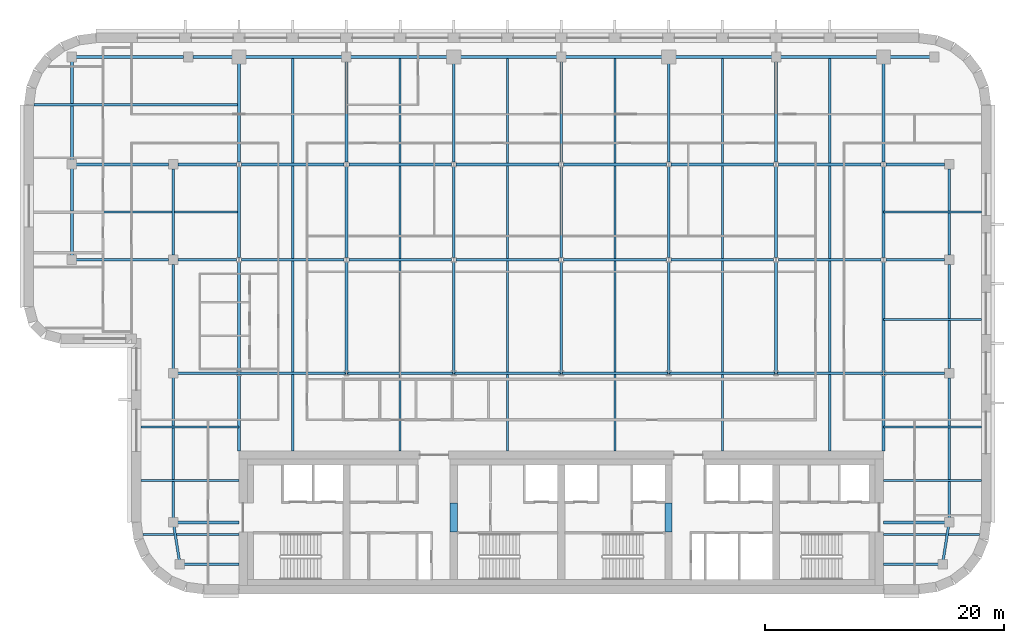
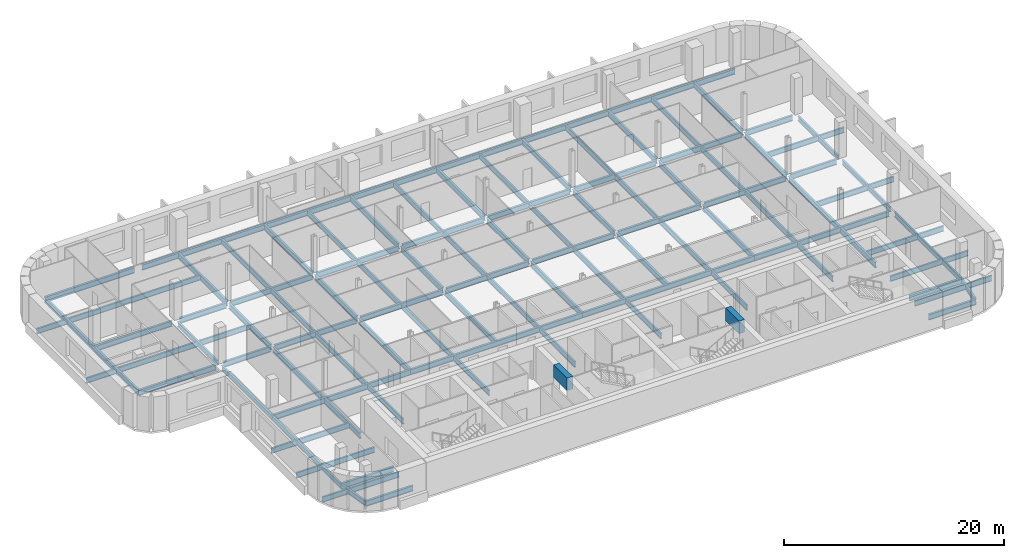
# One storey, part 5 of 16: 80 beams.
"""IFC4 building model written with IfcOpenShell, lengths in metres."""

from ifc_helpers import new_model, si_unit, direction, frame, origin, origin_2d, place, context, subcontext, project, spatial, rectangle, i_section, extrude, material, material_profile, profile_set, type_object, element, save


model = new_model("IFC4")

# Units and contexts
model_context = context("Model", 3, precision=1e-05, world=origin(), true_north=direction((0.0, 1.0)))
body_context = subcontext(model_context, "Body", "Model", "MODEL_VIEW")
ifc_project = project(units=[si_unit("LENGTHUNIT", "METRE"), si_unit("AREAUNIT", "SQUARE_METRE"), si_unit("VOLUMEUNIT", "CUBIC_METRE"), si_unit("PLANEANGLEUNIT", "RADIAN"), si_unit("MASSUNIT", "GRAM", prefix="KILO")], contexts=[model_context])

# Site, building, storey
site_placement = place(None, origin())
site = spatial("IfcSite", under=ifc_project, at=site_placement, CompositionType="ELEMENT")
building_placement = place(site_placement, origin())
building = spatial("IfcBuilding", under=site, at=building_placement, Name="Zellij Exchange Tower", CompositionType="ELEMENT")
storey_placement = place(building_placement, frame((0.0, 0.0, 236.5)))
storey = spatial("IfcBuildingStorey", under=building, at=storey_placement, Name="L55", CompositionType="ELEMENT", Elevation=236.5)

# Beams
ifc_material_1 = material(Name="Concrete C50/60", Category="concrete")
ifc_material_profile_1 = material_profile(ifc_material_1, rectangle(XDim=0.60009765625, YDim=1.39990234375, at=origin_2d()), Name="CORE-CB 600x1400 C50/60")
ifc_profile_set_1 = profile_set([ifc_material_profile_1], Name="Concrete C50/60")
beam_type_1 = type_object("IfcBeamType", Name="CORE-CB 600x1400 C50/60", PredefinedType="BEAM", material=ifc_profile_set_1)
for number, where, z_axis, x_axis, name in (
    (1, (-9.0, -8.800048828125, 3.10009765625), (0.0, 1.0, 0.0), (-1.0, 0.0, 0.0), "Core coupling beam x -9 L55"),
    (2, (9.0, -8.800048828125, 3.10009765625), (0.0, 1.0, 0.0), (-1.0, 0.0, 0.0), "Core coupling beam x 9 L55"),
):
    element("IfcBeam", number, at=place(storey_placement, frame(where, z_axis=z_axis, x_axis=x_axis)), inside=storey, type_object=beam_type_1, Name=name, PredefinedType="BEAM", context=body_context, shape_type="SweptSolid", body=[
        extrude(rectangle(XDim=0.60009765625, YDim=1.39990234375, at=origin_2d()), origin(), (0.0, 0.0, 1.0), 2.425048828125),
    ])
ifc_material_2 = material(Name="Structural steel ASTM A992 Gr 50", Category="steel")
ifc_material_profile_2 = material_profile(ifc_material_2, i_section(OverallWidth=0.177978515625, OverallDepth=0.599365234375, WebThickness=0.010009765625, FlangeThickness=0.012939453125, at=origin_2d()), Name="W24x55")
ifc_profile_set_2 = profile_set([ifc_material_profile_2], Name="Structural steel ASTM A992 Gr 50")
beam_type_2 = type_object("IfcBeamType", Name="STR-BEAM W24x55", PredefinedType="BEAM", material=ifc_profile_set_2)
for number, where, z_axis, x_axis, name in (
    (3, (-22.5, -2.0, -0.499755859375), (0.0, 1.0, 0.0), (-1.0, 0.0, 0.0), "B4"),
    (4, (-13.5, -2.0, -0.499755859375), (0.0, 1.0, 0.0), (-1.0, 0.0, 0.0), "B4"),
    (5, (-4.5, -2.0, -0.499755859375), (0.0, 1.0, 0.0), (-1.0, 0.0, 0.0), "B4"),
    (6, (4.5, -2.0, -0.499755859375), (0.0, 1.0, 0.0), (-1.0, 0.0, 0.0), "B4"),
    (7, (13.5, -2.0, -0.499755859375), (0.0, 1.0, 0.0), (-1.0, 0.0, 0.0), "B4"),
    (8, (22.5, -2.0, -0.499755859375), (0.0, 1.0, 0.0), (-1.0, 0.0, 0.0), "B4"),
):
    element("IfcBeam", number, at=place(storey_placement, frame(where, z_axis=z_axis, x_axis=x_axis)), inside=storey, type_object=beam_type_2, Name=name, PredefinedType="BEAM", context=body_context, shape_type="SweptSolid", body=[
        extrude(i_section(OverallWidth=0.177978515625, OverallDepth=0.599365234375, WebThickness=0.010009765625, FlangeThickness=0.012939453125, at=origin_2d()), origin(), (0.0, 0.0, 1.0), 33.1142578125),
    ])
beam_1_placement = place(storey_placement, frame((-35.06103515625, -9.0, -0.499755859375), z_axis=(1.0, 0.0, 0.0), x_axis=(0.0, 1.0, 0.0)))
element("IfcBeam", 9, at=beam_1_placement, inside=storey, type_object=beam_type_2, Name="B4", PredefinedType="BEAM", context=body_context, shape_type="SweptSolid", body=[
    extrude(i_section(OverallWidth=0.177978515625, OverallDepth=0.599365234375, WebThickness=0.010009765625, FlangeThickness=0.012939453125, at=origin_2d()), origin(), (0.0, 0.0, 1.0), 8.06103515625),
])
for number, where, z_axis, x_axis, name in (
    (10, (-35.199951171875, -4.5, -0.499755859375), (1.0, 0.0, 0.0), (0.0, 1.0, 0.0), "B4"),
    (11, (-35.199951171875, 0.0, -0.499755859375), (1.0, 0.0, 0.0), (0.0, 1.0, 0.0), "B4"),
):
    element("IfcBeam", number, at=place(storey_placement, frame(where, z_axis=z_axis, x_axis=x_axis)), inside=storey, type_object=beam_type_2, Name=name, PredefinedType="BEAM", context=body_context, shape_type="SweptSolid", body=[
        extrude(i_section(OverallWidth=0.177978515625, OverallDepth=0.599365234375, WebThickness=0.010009765625, FlangeThickness=0.012939453125, at=origin_2d()), origin(), (0.0, 0.0, 1.0), 8.199951171875),
    ])
beam_2_placement = place(storey_placement, frame((-44.199951171875, 18.0, -0.499755859375), z_axis=(1.0, 0.0, 0.0), x_axis=(0.0, 1.0, 0.0)))
element("IfcBeam", 12, at=beam_2_placement, inside=storey, type_object=beam_type_2, Name="B4", PredefinedType="BEAM", context=body_context, shape_type="SweptSolid", body=[
    extrude(i_section(OverallWidth=0.177978515625, OverallDepth=0.599365234375, WebThickness=0.010009765625, FlangeThickness=0.012939453125, at=origin_2d()), origin(), (0.0, 0.0, 1.0), 17.199951171875),
])
beam_3_placement = place(storey_placement, frame((-44.193115234375, 27.0, -0.499755859375), z_axis=(1.0, 0.0, 0.0), x_axis=(0.0, 1.0, 0.0)))
element("IfcBeam", 13, at=beam_3_placement, inside=storey, type_object=beam_type_2, Name="B4", PredefinedType="BEAM", context=body_context, shape_type="SweptSolid", body=[
    extrude(i_section(OverallWidth=0.177978515625, OverallDepth=0.599365234375, WebThickness=0.010009765625, FlangeThickness=0.012939453125, at=origin_2d()), origin(), (0.0, 0.0, 1.0), 17.193115234375),
])
beam_4_placement = place(storey_placement, frame((27.0, -9.0, -0.499755859375), z_axis=(1.0, 0.0, 0.0), x_axis=(0.0, 1.0, 0.0)))
element("IfcBeam", 14, at=beam_4_placement, inside=storey, type_object=beam_type_2, Name="B4", PredefinedType="BEAM", context=body_context, shape_type="SweptSolid", body=[
    extrude(i_section(OverallWidth=0.177978515625, OverallDepth=0.599365234375, WebThickness=0.010009765625, FlangeThickness=0.012939453125, at=origin_2d()), origin(), (0.0, 0.0, 1.0), 8.06103515625),
])
for number, where, z_axis, x_axis, name in (
    (15, (27.0, -4.5, -0.499755859375), (1.0, 0.0, 0.0), (0.0, 1.0, 0.0), "B4"),
    (16, (27.0, 0.0, -0.499755859375), (1.0, 0.0, 0.0), (0.0, 1.0, 0.0), "B4"),
    (17, (27.0, 9.0, -0.499755859375), (1.0, 0.0, 0.0), (0.0, 1.0, 0.0), "B4"),
    (18, (27.0, 18.0, -0.499755859375), (1.0, 0.0, 0.0), (0.0, 1.0, 0.0), "B4"),
):
    element("IfcBeam", number, at=place(storey_placement, frame(where, z_axis=z_axis, x_axis=x_axis)), inside=storey, type_object=beam_type_2, Name=name, PredefinedType="BEAM", context=body_context, shape_type="SweptSolid", body=[
        extrude(i_section(OverallWidth=0.177978515625, OverallDepth=0.599365234375, WebThickness=0.010009765625, FlangeThickness=0.012939453125, at=origin_2d()), origin(), (0.0, 0.0, 1.0), 8.199951171875),
    ])
ifc_material_profile_3 = material_profile(ifc_material_2, i_section(OverallWidth=0.209228515625, OverallDepth=0.533447265625, WebThickness=0.01025390625, FlangeThickness=0.015625, at=origin_2d()), Name="W21x62")
ifc_profile_set_3 = profile_set([ifc_material_profile_3], Name="Structural steel ASTM A992 Gr 50")
beam_type_3 = type_object("IfcBeamType", Name="STR-EDGE GIRDER W21x62", PredefinedType="BEAM", material=ifc_profile_set_3)
beam_5_placement = place(storey_placement, frame((-31.949951171875, -11.5, -0.466796875), z_axis=(-0.155251283593, 0.987875011802, 0.0), x_axis=(-0.987875011802, -0.155251283593, 0.0)))
element("IfcBeam", 19, at=beam_5_placement, inside=storey, type_object=beam_type_3, Name="EB3", PredefinedType="BEAM", context=body_context, shape_type="SweptSolid", body=[
    extrude(i_section(OverallWidth=0.209228515625, OverallDepth=0.533447265625, WebThickness=0.01025390625, FlangeThickness=0.015625, at=origin_2d()), origin(), (0.0, 0.0, 1.0), 3.54296875),
])
beam_6_placement = place(storey_placement, frame((-32.5, -8.0, -0.466796875), z_axis=(0.0, 1.0, 0.0), x_axis=(-1.0, 0.0, 0.0)))
element("IfcBeam", 20, at=beam_6_placement, inside=storey, type_object=beam_type_3, Name="EB3", PredefinedType="BEAM", context=body_context, shape_type="SweptSolid", body=[
    extrude(i_section(OverallWidth=0.209228515625, OverallDepth=0.533447265625, WebThickness=0.01025390625, FlangeThickness=0.015625, at=origin_2d()), origin(), (0.0, 0.0, 1.0), 12.5),
])
beam_7_placement = place(storey_placement, frame((-32.5, 4.5, -0.466796875), z_axis=(0.0, 1.0, 0.0), x_axis=(-1.0, 0.0, 0.0)))
element("IfcBeam", 21, at=beam_7_placement, inside=storey, type_object=beam_type_3, Name="EB3", PredefinedType="BEAM", context=body_context, shape_type="SweptSolid", body=[
    extrude(i_section(OverallWidth=0.209228515625, OverallDepth=0.533447265625, WebThickness=0.01025390625, FlangeThickness=0.015625, at=origin_2d()), origin(), (0.0, 0.0, 1.0), 9.10009765625),
])
beam_8_placement = place(storey_placement, frame((-32.5, 14.39990234375, -0.466796875), z_axis=(0.0, 1.0, 0.0), x_axis=(-1.0, 0.0, 0.0)))
element("IfcBeam", 22, at=beam_8_placement, inside=storey, type_object=beam_type_3, Name="EB3", PredefinedType="BEAM", context=body_context, shape_type="SweptSolid", body=[
    extrude(i_section(OverallWidth=0.209228515625, OverallDepth=0.533447265625, WebThickness=0.01025390625, FlangeThickness=0.015625, at=origin_2d()), origin(), (0.0, 0.0, 1.0), 7.2001953125),
])
beam_9_placement = place(storey_placement, frame((31.949951171875, -11.5, -0.466796875), z_axis=(0.155251283593, 0.987875011802, 0.0), x_axis=(-0.987875011802, 0.155251283593, 0.0)))
element("IfcBeam", 23, at=beam_9_placement, inside=storey, type_object=beam_type_3, Name="EB3", PredefinedType="BEAM", context=body_context, shape_type="SweptSolid", body=[
    extrude(i_section(OverallWidth=0.209228515625, OverallDepth=0.533447265625, WebThickness=0.01025390625, FlangeThickness=0.015625, at=origin_2d()), origin(), (0.0, 0.0, 1.0), 3.54296875),
])
beam_10_placement = place(storey_placement, frame((32.5, -8.0, -0.466796875), z_axis=(0.0, 1.0, 0.0), x_axis=(-1.0, 0.0, 0.0)))
element("IfcBeam", 24, at=beam_10_placement, inside=storey, type_object=beam_type_3, Name="EB3", PredefinedType="BEAM", context=body_context, shape_type="SweptSolid", body=[
    extrude(i_section(OverallWidth=0.209228515625, OverallDepth=0.533447265625, WebThickness=0.01025390625, FlangeThickness=0.015625, at=origin_2d()), origin(), (0.0, 0.0, 1.0), 12.10009765625),
])
beam_11_placement = place(storey_placement, frame((32.5, 4.89990234375, -0.466796875), z_axis=(0.0, 1.0, 0.0), x_axis=(-1.0, 0.0, 0.0)))
element("IfcBeam", 25, at=beam_11_placement, inside=storey, type_object=beam_type_3, Name="EB3", PredefinedType="BEAM", context=body_context, shape_type="SweptSolid", body=[
    extrude(i_section(OverallWidth=0.209228515625, OverallDepth=0.533447265625, WebThickness=0.01025390625, FlangeThickness=0.015625, at=origin_2d()), origin(), (0.0, 0.0, 1.0), 8.7001953125),
])
beam_12_placement = place(storey_placement, frame((32.5, 14.39990234375, -0.466796875), z_axis=(0.0, 1.0, 0.0), x_axis=(-1.0, 0.0, 0.0)))
element("IfcBeam", 26, at=beam_12_placement, inside=storey, type_object=beam_type_3, Name="EB3", PredefinedType="BEAM", context=body_context, shape_type="SweptSolid", body=[
    extrude(i_section(OverallWidth=0.209228515625, OverallDepth=0.533447265625, WebThickness=0.01025390625, FlangeThickness=0.015625, at=origin_2d()), origin(), (0.0, 0.0, 1.0), 7.2001953125),
])
ifc_material_profile_4 = material_profile(ifc_material_2, i_section(OverallWidth=0.228271484375, OverallDepth=0.607177734375, WebThickness=0.01123046875, FlangeThickness=0.017333984375, at=origin_2d()), Name="W24x76")
ifc_profile_set_4 = profile_set([ifc_material_profile_4], Name="Structural steel ASTM A992 Gr 50")
beam_type_4 = type_object("IfcBeamType", Name="STR-GIRDER W24x76", PredefinedType="BEAM", material=ifc_profile_set_4)
for number, where, z_axis, x_axis, name in (
    (27, (-31.949951171875, -11.5, -0.50341796875), (1.0, 0.0, 0.0), (0.0, 1.0, 0.0), "G2"),
    (28, (27.0, -11.5, -0.50341796875), (1.0, 0.0, 0.0), (0.0, 1.0, 0.0), "G2"),
):
    element("IfcBeam", number, at=place(storey_placement, frame(where, z_axis=z_axis, x_axis=x_axis)), inside=storey, type_object=beam_type_4, Name=name, PredefinedType="BEAM", context=body_context, shape_type="SweptSolid", body=[
        extrude(i_section(OverallWidth=0.228271484375, OverallDepth=0.607177734375, WebThickness=0.01123046875, FlangeThickness=0.017333984375, at=origin_2d()), origin(), (0.0, 0.0, 1.0), 4.949951171875),
    ])
for number, where, z_axis, x_axis, name in (
    (29, (-32.5, -8.0, -0.50341796875), (1.0, 0.0, 0.0), (0.0, 1.0, 0.0), "G2"),
    (30, (27.0, -8.0, -0.50341796875), (1.0, 0.0, 0.0), (0.0, 1.0, 0.0), "G2"),
):
    element("IfcBeam", number, at=place(storey_placement, frame(where, z_axis=z_axis, x_axis=x_axis)), inside=storey, type_object=beam_type_4, Name=name, PredefinedType="BEAM", context=body_context, shape_type="SweptSolid", body=[
        extrude(i_section(OverallWidth=0.228271484375, OverallDepth=0.607177734375, WebThickness=0.01123046875, FlangeThickness=0.017333984375, at=origin_2d()), origin(), (0.0, 0.0, 1.0), 5.5),
    ])
beam_13_placement = place(storey_placement, frame((-32.5, 4.5, -0.50341796875), z_axis=(1.0, 0.0, 0.0), x_axis=(0.0, 1.0, 0.0)))
element("IfcBeam", 31, at=beam_13_placement, inside=storey, type_object=beam_type_4, Name="G2", PredefinedType="BEAM", context=body_context, shape_type="SweptSolid", body=[
    extrude(i_section(OverallWidth=0.228271484375, OverallDepth=0.607177734375, WebThickness=0.01123046875, FlangeThickness=0.017333984375, at=origin_2d()), origin(), (0.0, 0.0, 1.0), 14.5),
])
for number, where, z_axis, x_axis, name in (
    (32, (-18.0, 4.5, -0.50341796875), (1.0, 0.0, 0.0), (0.0, 1.0, 0.0), "G2"),
    (33, (0.0, 4.5, -0.50341796875), (1.0, 0.0, 0.0), (0.0, 1.0, 0.0), "G2"),
):
    element("IfcBeam", number, at=place(storey_placement, frame(where, z_axis=z_axis, x_axis=x_axis)), inside=storey, type_object=beam_type_4, Name=name, PredefinedType="BEAM", context=body_context, shape_type="SweptSolid", body=[
        extrude(i_section(OverallWidth=0.228271484375, OverallDepth=0.607177734375, WebThickness=0.01123046875, FlangeThickness=0.017333984375, at=origin_2d()), origin(), (0.0, 0.0, 1.0), 18.0),
    ])
beam_14_placement = place(storey_placement, frame((18.0, 4.5, -0.50341796875), z_axis=(1.0, 0.0, 0.0), x_axis=(0.0, 1.0, 0.0)))
element("IfcBeam", 34, at=beam_14_placement, inside=storey, type_object=beam_type_4, Name="G2", PredefinedType="BEAM", context=body_context, shape_type="SweptSolid", body=[
    extrude(i_section(OverallWidth=0.228271484375, OverallDepth=0.607177734375, WebThickness=0.01123046875, FlangeThickness=0.017333984375, at=origin_2d()), origin(), (0.0, 0.0, 1.0), 14.10009765625),
])
beam_15_placement = place(storey_placement, frame((-41.0, 14.0, -0.50341796875), z_axis=(1.0, 0.0, 0.0), x_axis=(0.0, 1.0, 0.0)))
element("IfcBeam", 35, at=beam_15_placement, inside=storey, type_object=beam_type_4, Name="G2", PredefinedType="BEAM", context=body_context, shape_type="SweptSolid", body=[
    extrude(i_section(OverallWidth=0.228271484375, OverallDepth=0.607177734375, WebThickness=0.01123046875, FlangeThickness=0.017333984375, at=origin_2d()), origin(), (0.0, 0.0, 1.0), 8.10009765625),
])
beam_16_placement = place(storey_placement, frame((-32.10009765625, 14.0, -0.50341796875), z_axis=(1.0, 0.0, 0.0), x_axis=(0.0, 1.0, 0.0)))
element("IfcBeam", 36, at=beam_16_placement, inside=storey, type_object=beam_type_4, Name="G2", PredefinedType="BEAM", context=body_context, shape_type="SweptSolid", body=[
    extrude(i_section(OverallWidth=0.228271484375, OverallDepth=0.607177734375, WebThickness=0.01123046875, FlangeThickness=0.017333984375, at=origin_2d()), origin(), (0.0, 0.0, 1.0), 4.900634765625),
])
for number, where, z_axis, x_axis, name in (
    (37, (-26.800537109375, 14.0, -0.50341796875), (1.0, 0.0, 0.0), (0.0, 1.0, 0.0), "G2"),
    (38, (-17.800537109375, 14.0, -0.50341796875), (1.0, 0.0, 0.0), (0.0, 1.0, 0.0), "G2"),
    (39, (-8.800537109375, 14.0, -0.50341796875), (1.0, 0.0, 0.0), (0.0, 1.0, 0.0), "G2"),
    (40, (0.199462890625, 14.0, -0.50341796875), (1.0, 0.0, 0.0), (0.0, 1.0, 0.0), "G2"),
    (41, (9.199462890625, 14.0, -0.50341796875), (1.0, 0.0, 0.0), (0.0, 1.0, 0.0), "G2"),
    (42, (18.199462890625, 14.0, -0.50341796875), (1.0, 0.0, 0.0), (0.0, 1.0, 0.0), "G2"),
):
    element("IfcBeam", number, at=place(storey_placement, frame(where, z_axis=z_axis, x_axis=x_axis)), inside=storey, type_object=beam_type_4, Name=name, PredefinedType="BEAM", context=body_context, shape_type="SweptSolid", body=[
        extrude(i_section(OverallWidth=0.228271484375, OverallDepth=0.607177734375, WebThickness=0.01123046875, FlangeThickness=0.017333984375, at=origin_2d()), origin(), (0.0, 0.0, 1.0), 8.60107421875),
    ])
beam_17_placement = place(storey_placement, frame((27.199462890625, 14.0, -0.50341796875), z_axis=(1.0, 0.0, 0.0), x_axis=(0.0, 1.0, 0.0)))
element("IfcBeam", 43, at=beam_17_placement, inside=storey, type_object=beam_type_4, Name="G2", PredefinedType="BEAM", context=body_context, shape_type="SweptSolid", body=[
    extrude(i_section(OverallWidth=0.228271484375, OverallDepth=0.607177734375, WebThickness=0.01123046875, FlangeThickness=0.017333984375, at=origin_2d()), origin(), (0.0, 0.0, 1.0), 4.900634765625),
])
beam_18_placement = place(storey_placement, frame((-41.0, 22.0, -0.50341796875), z_axis=(1.0, 0.0, 0.0), x_axis=(0.0, 1.0, 0.0)))
element("IfcBeam", 44, at=beam_18_placement, inside=storey, type_object=beam_type_4, Name="G2", PredefinedType="BEAM", context=body_context, shape_type="SweptSolid", body=[
    extrude(i_section(OverallWidth=0.228271484375, OverallDepth=0.607177734375, WebThickness=0.01123046875, FlangeThickness=0.017333984375, at=origin_2d()), origin(), (0.0, 0.0, 1.0), 8.10009765625),
])
beam_19_placement = place(storey_placement, frame((-32.10009765625, 22.0, -0.50341796875), z_axis=(1.0, 0.0, 0.0), x_axis=(0.0, 1.0, 0.0)))
element("IfcBeam", 45, at=beam_19_placement, inside=storey, type_object=beam_type_4, Name="G2", PredefinedType="BEAM", context=body_context, shape_type="SweptSolid", body=[
    extrude(i_section(OverallWidth=0.228271484375, OverallDepth=0.607177734375, WebThickness=0.01123046875, FlangeThickness=0.017333984375, at=origin_2d()), origin(), (0.0, 0.0, 1.0), 4.900634765625),
])
for number, where, z_axis, x_axis, name in (
    (46, (-26.800537109375, 22.0, -0.50341796875), (1.0, 0.0, 0.0), (0.0, 1.0, 0.0), "G2"),
    (47, (-17.800537109375, 22.0, -0.50341796875), (1.0, 0.0, 0.0), (0.0, 1.0, 0.0), "G2"),
    (48, (-8.800537109375, 22.0, -0.50341796875), (1.0, 0.0, 0.0), (0.0, 1.0, 0.0), "G2"),
    (49, (0.199462890625, 22.0, -0.50341796875), (1.0, 0.0, 0.0), (0.0, 1.0, 0.0), "G2"),
    (50, (9.199462890625, 22.0, -0.50341796875), (1.0, 0.0, 0.0), (0.0, 1.0, 0.0), "G2"),
    (51, (18.199462890625, 22.0, -0.50341796875), (1.0, 0.0, 0.0), (0.0, 1.0, 0.0), "G2"),
):
    element("IfcBeam", number, at=place(storey_placement, frame(where, z_axis=z_axis, x_axis=x_axis)), inside=storey, type_object=beam_type_4, Name=name, PredefinedType="BEAM", context=body_context, shape_type="SweptSolid", body=[
        extrude(i_section(OverallWidth=0.228271484375, OverallDepth=0.607177734375, WebThickness=0.01123046875, FlangeThickness=0.017333984375, at=origin_2d()), origin(), (0.0, 0.0, 1.0), 8.60107421875),
    ])
beam_20_placement = place(storey_placement, frame((27.199462890625, 22.0, -0.50341796875), z_axis=(1.0, 0.0, 0.0), x_axis=(0.0, 1.0, 0.0)))
element("IfcBeam", 52, at=beam_20_placement, inside=storey, type_object=beam_type_4, Name="G2", PredefinedType="BEAM", context=body_context, shape_type="SweptSolid", body=[
    extrude(i_section(OverallWidth=0.228271484375, OverallDepth=0.607177734375, WebThickness=0.01123046875, FlangeThickness=0.017333984375, at=origin_2d()), origin(), (0.0, 0.0, 1.0), 4.900634765625),
])
beam_21_placement = place(storey_placement, frame((-41.0, 31.0, -0.50341796875), z_axis=(1.0, 0.0, 0.0), x_axis=(0.0, 1.0, 0.0)))
element("IfcBeam", 53, at=beam_21_placement, inside=storey, type_object=beam_type_4, Name="G2", PredefinedType="BEAM", context=body_context, shape_type="SweptSolid", body=[
    extrude(i_section(OverallWidth=0.228271484375, OverallDepth=0.607177734375, WebThickness=0.01123046875, FlangeThickness=0.017333984375, at=origin_2d()), origin(), (0.0, 0.0, 1.0), 9.35009765625),
])
beam_22_placement = place(storey_placement, frame((-30.85009765625, 31.0, -0.50341796875), z_axis=(1.0, 0.0, 0.0), x_axis=(0.0, 1.0, 0.0)))
element("IfcBeam", 54, at=beam_22_placement, inside=storey, type_object=beam_type_4, Name="G2", PredefinedType="BEAM", context=body_context, shape_type="SweptSolid", body=[
    extrude(i_section(OverallWidth=0.228271484375, OverallDepth=0.607177734375, WebThickness=0.01123046875, FlangeThickness=0.017333984375, at=origin_2d()), origin(), (0.0, 0.0, 1.0), 3.85009765625),
])
for number, where, z_axis, x_axis, name in (
    (55, (-27.0, 31.0, -0.50341796875), (1.0, 0.0, 0.0), (0.0, 1.0, 0.0), "G2"),
    (56, (-9.0, 31.0, -0.50341796875), (1.0, 0.0, 0.0), (0.0, 1.0, 0.0), "G2"),
    (57, (9.0, 31.0, -0.50341796875), (1.0, 0.0, 0.0), (0.0, 1.0, 0.0), "G2"),
):
    element("IfcBeam", number, at=place(storey_placement, frame(where, z_axis=z_axis, x_axis=x_axis)), inside=storey, type_object=beam_type_4, Name=name, PredefinedType="BEAM", context=body_context, shape_type="SweptSolid", body=[
        extrude(i_section(OverallWidth=0.228271484375, OverallDepth=0.607177734375, WebThickness=0.01123046875, FlangeThickness=0.017333984375, at=origin_2d()), origin(), (0.0, 0.0, 1.0), 18.0),
    ])
beam_23_placement = place(storey_placement, frame((27.0, 31.0, -0.50341796875), z_axis=(1.0, 0.0, 0.0), x_axis=(0.0, 1.0, 0.0)))
element("IfcBeam", 58, at=beam_23_placement, inside=storey, type_object=beam_type_4, Name="G2", PredefinedType="BEAM", context=body_context, shape_type="SweptSolid", body=[
    extrude(i_section(OverallWidth=0.228271484375, OverallDepth=0.607177734375, WebThickness=0.01123046875, FlangeThickness=0.017333984375, at=origin_2d()), origin(), (0.0, 0.0, 1.0), 4.25),
])
beam_24_placement = place(storey_placement, frame((-41.0, 14.0, -0.50341796875), z_axis=(0.0, 1.0, 0.0), x_axis=(-1.0, 0.0, 0.0)))
element("IfcBeam", 59, at=beam_24_placement, inside=storey, type_object=beam_type_4, Name="G2", PredefinedType="BEAM", context=body_context, shape_type="SweptSolid", body=[
    extrude(i_section(OverallWidth=0.228271484375, OverallDepth=0.607177734375, WebThickness=0.01123046875, FlangeThickness=0.017333984375, at=origin_2d()), origin(), (0.0, 0.0, 1.0), 17.0),
])
beam_25_placement = place(storey_placement, frame((-27.0, -2.0, -0.50341796875), z_axis=(0.0, 1.0, 0.0), x_axis=(-1.0, 0.0, 0.0)))
element("IfcBeam", 60, at=beam_25_placement, inside=storey, type_object=beam_type_4, Name="G2", PredefinedType="BEAM", context=body_context, shape_type="SweptSolid", body=[
    extrude(i_section(OverallWidth=0.228271484375, OverallDepth=0.607177734375, WebThickness=0.01123046875, FlangeThickness=0.017333984375, at=origin_2d()), origin(), (0.0, 0.0, 1.0), 15.806884765625),
])
beam_26_placement = place(storey_placement, frame((-27.0, 14.193115234375, -0.50341796875), z_axis=(0.0, 1.0, 0.0), x_axis=(-1.0, 0.0, 0.0)))
element("IfcBeam", 61, at=beam_26_placement, inside=storey, type_object=beam_type_4, Name="G2", PredefinedType="BEAM", context=body_context, shape_type="SweptSolid", body=[
    extrude(i_section(OverallWidth=0.228271484375, OverallDepth=0.607177734375, WebThickness=0.01123046875, FlangeThickness=0.017333984375, at=origin_2d()), origin(), (0.0, 0.0, 1.0), 7.61376953125),
])
beam_27_placement = place(storey_placement, frame((-27.0, 22.193115234375, -0.50341796875), z_axis=(0.0, 1.0, 0.0), x_axis=(-1.0, 0.0, 0.0)))
element("IfcBeam", 62, at=beam_27_placement, inside=storey, type_object=beam_type_4, Name="G2", PredefinedType="BEAM", context=body_context, shape_type="SweptSolid", body=[
    extrude(i_section(OverallWidth=0.228271484375, OverallDepth=0.607177734375, WebThickness=0.01123046875, FlangeThickness=0.017333984375, at=origin_2d()), origin(), (0.0, 0.0, 1.0), 8.806884765625),
])
beam_28_placement = place(storey_placement, frame((-18.0, 4.5, -0.50341796875), z_axis=(0.0, 1.0, 0.0), x_axis=(-1.0, 0.0, 0.0)))
element("IfcBeam", 63, at=beam_28_placement, inside=storey, type_object=beam_type_4, Name="G2", PredefinedType="BEAM", context=body_context, shape_type="SweptSolid", body=[
    extrude(i_section(OverallWidth=0.228271484375, OverallDepth=0.607177734375, WebThickness=0.01123046875, FlangeThickness=0.017333984375, at=origin_2d()), origin(), (0.0, 0.0, 1.0), 9.306884765625),
])
beam_29_placement = place(storey_placement, frame((-18.0, 14.193115234375, -0.50341796875), z_axis=(0.0, 1.0, 0.0), x_axis=(-1.0, 0.0, 0.0)))
element("IfcBeam", 64, at=beam_29_placement, inside=storey, type_object=beam_type_4, Name="G2", PredefinedType="BEAM", context=body_context, shape_type="SweptSolid", body=[
    extrude(i_section(OverallWidth=0.228271484375, OverallDepth=0.607177734375, WebThickness=0.01123046875, FlangeThickness=0.017333984375, at=origin_2d()), origin(), (0.0, 0.0, 1.0), 7.61376953125),
])
beam_30_placement = place(storey_placement, frame((-18.0, 22.193115234375, -0.50341796875), z_axis=(0.0, 1.0, 0.0), x_axis=(-1.0, 0.0, 0.0)))
element("IfcBeam", 65, at=beam_30_placement, inside=storey, type_object=beam_type_4, Name="G2", PredefinedType="BEAM", context=body_context, shape_type="SweptSolid", body=[
    extrude(i_section(OverallWidth=0.228271484375, OverallDepth=0.607177734375, WebThickness=0.01123046875, FlangeThickness=0.017333984375, at=origin_2d()), origin(), (0.0, 0.0, 1.0), 8.806884765625),
])
beam_31_placement = place(storey_placement, frame((-9.0, 4.5, -0.50341796875), z_axis=(0.0, 1.0, 0.0), x_axis=(-1.0, 0.0, 0.0)))
element("IfcBeam", 66, at=beam_31_placement, inside=storey, type_object=beam_type_4, Name="G2", PredefinedType="BEAM", context=body_context, shape_type="SweptSolid", body=[
    extrude(i_section(OverallWidth=0.228271484375, OverallDepth=0.607177734375, WebThickness=0.01123046875, FlangeThickness=0.017333984375, at=origin_2d()), origin(), (0.0, 0.0, 1.0), 9.306884765625),
])
beam_32_placement = place(storey_placement, frame((-9.0, 14.193115234375, -0.50341796875), z_axis=(0.0, 1.0, 0.0), x_axis=(-1.0, 0.0, 0.0)))
element("IfcBeam", 67, at=beam_32_placement, inside=storey, type_object=beam_type_4, Name="G2", PredefinedType="BEAM", context=body_context, shape_type="SweptSolid", body=[
    extrude(i_section(OverallWidth=0.228271484375, OverallDepth=0.607177734375, WebThickness=0.01123046875, FlangeThickness=0.017333984375, at=origin_2d()), origin(), (0.0, 0.0, 1.0), 7.61376953125),
])
beam_33_placement = place(storey_placement, frame((-9.0, 22.193115234375, -0.50341796875), z_axis=(0.0, 1.0, 0.0), x_axis=(-1.0, 0.0, 0.0)))
element("IfcBeam", 68, at=beam_33_placement, inside=storey, type_object=beam_type_4, Name="G2", PredefinedType="BEAM", context=body_context, shape_type="SweptSolid", body=[
    extrude(i_section(OverallWidth=0.228271484375, OverallDepth=0.607177734375, WebThickness=0.01123046875, FlangeThickness=0.017333984375, at=origin_2d()), origin(), (0.0, 0.0, 1.0), 8.806884765625),
])
beam_34_placement = place(storey_placement, frame((0.0, 4.5, -0.50341796875), z_axis=(0.0, 1.0, 0.0), x_axis=(-1.0, 0.0, 0.0)))
element("IfcBeam", 69, at=beam_34_placement, inside=storey, type_object=beam_type_4, Name="G2", PredefinedType="BEAM", context=body_context, shape_type="SweptSolid", body=[
    extrude(i_section(OverallWidth=0.228271484375, OverallDepth=0.607177734375, WebThickness=0.01123046875, FlangeThickness=0.017333984375, at=origin_2d()), origin(), (0.0, 0.0, 1.0), 9.306884765625),
])
beam_35_placement = place(storey_placement, frame((0.0, 14.193115234375, -0.50341796875), z_axis=(0.0, 1.0, 0.0), x_axis=(-1.0, 0.0, 0.0)))
element("IfcBeam", 70, at=beam_35_placement, inside=storey, type_object=beam_type_4, Name="G2", PredefinedType="BEAM", context=body_context, shape_type="SweptSolid", body=[
    extrude(i_section(OverallWidth=0.228271484375, OverallDepth=0.607177734375, WebThickness=0.01123046875, FlangeThickness=0.017333984375, at=origin_2d()), origin(), (0.0, 0.0, 1.0), 7.61376953125),
])
beam_36_placement = place(storey_placement, frame((0.0, 22.193115234375, -0.50341796875), z_axis=(0.0, 1.0, 0.0), x_axis=(-1.0, 0.0, 0.0)))
element("IfcBeam", 71, at=beam_36_placement, inside=storey, type_object=beam_type_4, Name="G2", PredefinedType="BEAM", context=body_context, shape_type="SweptSolid", body=[
    extrude(i_section(OverallWidth=0.228271484375, OverallDepth=0.607177734375, WebThickness=0.01123046875, FlangeThickness=0.017333984375, at=origin_2d()), origin(), (0.0, 0.0, 1.0), 8.806884765625),
])
beam_37_placement = place(storey_placement, frame((9.0, 4.5, -0.50341796875), z_axis=(0.0, 1.0, 0.0), x_axis=(-1.0, 0.0, 0.0)))
element("IfcBeam", 72, at=beam_37_placement, inside=storey, type_object=beam_type_4, Name="G2", PredefinedType="BEAM", context=body_context, shape_type="SweptSolid", body=[
    extrude(i_section(OverallWidth=0.228271484375, OverallDepth=0.607177734375, WebThickness=0.01123046875, FlangeThickness=0.017333984375, at=origin_2d()), origin(), (0.0, 0.0, 1.0), 9.306884765625),
])
beam_38_placement = place(storey_placement, frame((9.0, 14.193115234375, -0.50341796875), z_axis=(0.0, 1.0, 0.0), x_axis=(-1.0, 0.0, 0.0)))
element("IfcBeam", 73, at=beam_38_placement, inside=storey, type_object=beam_type_4, Name="G2", PredefinedType="BEAM", context=body_context, shape_type="SweptSolid", body=[
    extrude(i_section(OverallWidth=0.228271484375, OverallDepth=0.607177734375, WebThickness=0.01123046875, FlangeThickness=0.017333984375, at=origin_2d()), origin(), (0.0, 0.0, 1.0), 7.61376953125),
])
beam_39_placement = place(storey_placement, frame((9.0, 22.193115234375, -0.50341796875), z_axis=(0.0, 1.0, 0.0), x_axis=(-1.0, 0.0, 0.0)))
element("IfcBeam", 74, at=beam_39_placement, inside=storey, type_object=beam_type_4, Name="G2", PredefinedType="BEAM", context=body_context, shape_type="SweptSolid", body=[
    extrude(i_section(OverallWidth=0.228271484375, OverallDepth=0.607177734375, WebThickness=0.01123046875, FlangeThickness=0.017333984375, at=origin_2d()), origin(), (0.0, 0.0, 1.0), 8.806884765625),
])
beam_40_placement = place(storey_placement, frame((18.0, 4.5, -0.50341796875), z_axis=(0.0, 1.0, 0.0), x_axis=(-1.0, 0.0, 0.0)))
element("IfcBeam", 75, at=beam_40_placement, inside=storey, type_object=beam_type_4, Name="G2", PredefinedType="BEAM", context=body_context, shape_type="SweptSolid", body=[
    extrude(i_section(OverallWidth=0.228271484375, OverallDepth=0.607177734375, WebThickness=0.01123046875, FlangeThickness=0.017333984375, at=origin_2d()), origin(), (0.0, 0.0, 1.0), 9.306884765625),
])
beam_41_placement = place(storey_placement, frame((18.0, 14.193115234375, -0.50341796875), z_axis=(0.0, 1.0, 0.0), x_axis=(-1.0, 0.0, 0.0)))
element("IfcBeam", 76, at=beam_41_placement, inside=storey, type_object=beam_type_4, Name="G2", PredefinedType="BEAM", context=body_context, shape_type="SweptSolid", body=[
    extrude(i_section(OverallWidth=0.228271484375, OverallDepth=0.607177734375, WebThickness=0.01123046875, FlangeThickness=0.017333984375, at=origin_2d()), origin(), (0.0, 0.0, 1.0), 7.61376953125),
])
beam_42_placement = place(storey_placement, frame((18.0, 22.193115234375, -0.50341796875), z_axis=(0.0, 1.0, 0.0), x_axis=(-1.0, 0.0, 0.0)))
element("IfcBeam", 77, at=beam_42_placement, inside=storey, type_object=beam_type_4, Name="G2", PredefinedType="BEAM", context=body_context, shape_type="SweptSolid", body=[
    extrude(i_section(OverallWidth=0.228271484375, OverallDepth=0.607177734375, WebThickness=0.01123046875, FlangeThickness=0.017333984375, at=origin_2d()), origin(), (0.0, 0.0, 1.0), 8.806884765625),
])
beam_43_placement = place(storey_placement, frame((27.0, -2.0, -0.50341796875), z_axis=(0.0, 1.0, 0.0), x_axis=(-1.0, 0.0, 0.0)))
element("IfcBeam", 78, at=beam_43_placement, inside=storey, type_object=beam_type_4, Name="G2", PredefinedType="BEAM", context=body_context, shape_type="SweptSolid", body=[
    extrude(i_section(OverallWidth=0.228271484375, OverallDepth=0.607177734375, WebThickness=0.01123046875, FlangeThickness=0.017333984375, at=origin_2d()), origin(), (0.0, 0.0, 1.0), 15.806884765625),
])
beam_44_placement = place(storey_placement, frame((27.0, 14.193115234375, -0.50341796875), z_axis=(0.0, 1.0, 0.0), x_axis=(-1.0, 0.0, 0.0)))
element("IfcBeam", 79, at=beam_44_placement, inside=storey, type_object=beam_type_4, Name="G2", PredefinedType="BEAM", context=body_context, shape_type="SweptSolid", body=[
    extrude(i_section(OverallWidth=0.228271484375, OverallDepth=0.607177734375, WebThickness=0.01123046875, FlangeThickness=0.017333984375, at=origin_2d()), origin(), (0.0, 0.0, 1.0), 7.61376953125),
])
beam_45_placement = place(storey_placement, frame((27.0, 22.193115234375, -0.50341796875), z_axis=(0.0, 1.0, 0.0), x_axis=(-1.0, 0.0, 0.0)))
element("IfcBeam", 80, at=beam_45_placement, inside=storey, type_object=beam_type_4, Name="G2", PredefinedType="BEAM", context=body_context, shape_type="SweptSolid", body=[
    extrude(i_section(OverallWidth=0.228271484375, OverallDepth=0.607177734375, WebThickness=0.01123046875, FlangeThickness=0.017333984375, at=origin_2d()), origin(), (0.0, 0.0, 1.0), 8.806884765625),
])

save(model, "model.ifc")
